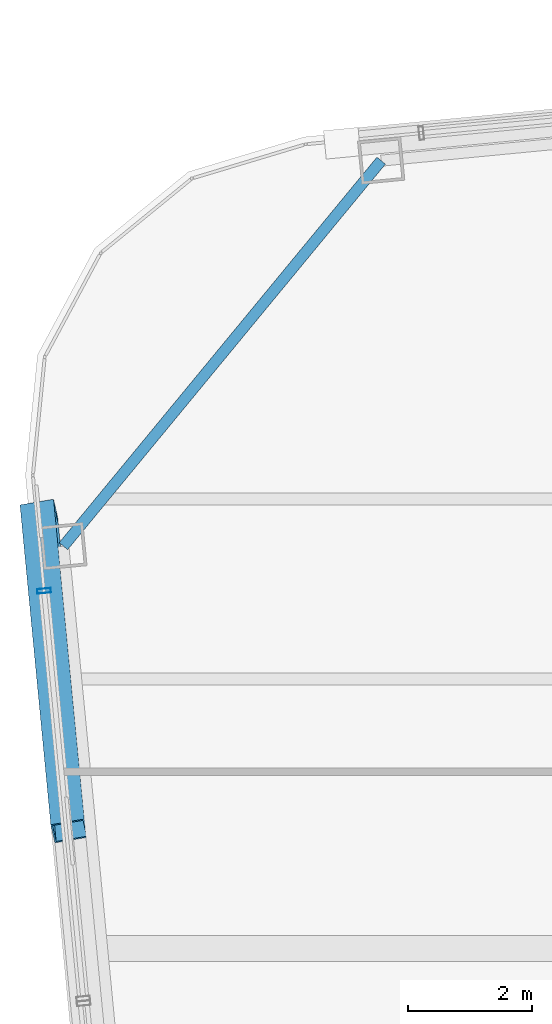
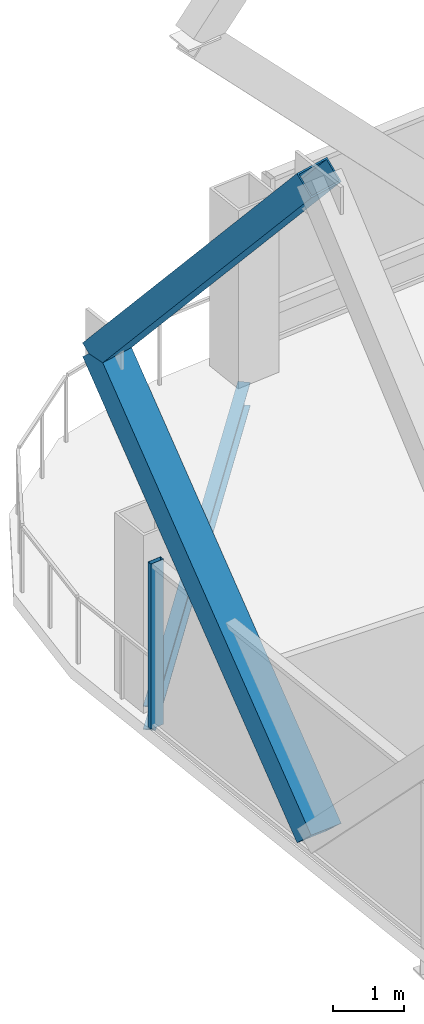
# One storey, part 18 of 34: 3 members, 1 beam, 1 element without a shape of its own.
"""IFC4 building model written with IfcOpenShell, lengths in metres."""

from ifc_helpers import new_model, si_unit, direction, frame, origin, origin_2d, place, context, subcontext, project, spatial, hollow_rectangle, i_section, extrude, material, layer, layer_set, material_profile, profile_set, type_object, element, aggregate, save


model = new_model("IFC4")

# Units and contexts
model_context = context("Model", 3, precision=1e-05, world=origin(), true_north=direction((0.0, 1.0)))
body_context = subcontext(model_context, "Body", "Model", "MODEL_VIEW")
ifc_project = project(units=[si_unit("LENGTHUNIT", "METRE"), si_unit("AREAUNIT", "SQUARE_METRE"), si_unit("VOLUMEUNIT", "CUBIC_METRE"), si_unit("PLANEANGLEUNIT", "RADIAN"), si_unit("MASSUNIT", "GRAM", prefix="KILO")], contexts=[model_context])

# Site, building, storey
site_placement = place(None, origin())
site = spatial("IfcSite", under=ifc_project, at=site_placement, CompositionType="ELEMENT")
building_placement = place(site_placement, origin())
building = spatial("IfcBuilding", under=site, at=building_placement, Name="Qhalaya Broadcast Tower", CompositionType="ELEMENT")
storey_placement = place(building_placement, frame((0.0, 0.0, 168.35009765625)))
storey = spatial("IfcBuildingStorey", under=building, at=storey_placement, Name="L49", CompositionType="ELEMENT", Elevation=168.35009765625)

# Members
ifc_material_1 = material(Name="Structural Steel ASTM A572 Grade 50", Category="steel")
ifc_material_profile_1 = material_profile(ifc_material_1, hollow_rectangle(XDim=0.39990234375, YDim=0.550048828125, WallThickness=0.02490234375, at=origin_2d()), Name="BOX 400x550x25")
ifc_profile_set_1 = profile_set([ifc_material_profile_1], Name="Structural Steel ASTM A572 Grade 50")
member_type_1 = type_object("IfcMemberType", Name="Exoskeleton Diamond Diagonal Mid-High EX3", PredefinedType="BRACE", material=ifc_profile_set_1)
member_1_placement = place(storey_placement, frame((-25.427001953125, 11.84716796875, 0.35986328125), z_axis=(-0.066502760768, 0.690615647814, 0.72015790616), x_axis=(0.164114880845, -0.704354882738, 0.690616033009)))
element("IfcMember", 1, at=member_1_placement, inside=storey, type_object=member_type_1, Name="B4 Exoskeleton Diamond Brace W1-D1", PredefinedType="BRACE", context=body_context, shape_type="SweptSolid", body=[
    extrude(hollow_rectangle(XDim=0.39990234375, YDim=0.550048828125, WallThickness=0.02490234375, at=origin_2d()), origin(), (0.0, 0.0, 1.0), 7.470703125),
])
member_2_placement = place(storey_placement, frame((-25.923828125, 17.006591796875, 5.739990234375), z_axis=(0.063505717979, -0.659492058015, 0.749024198007), x_axis=(-0.166869020586, 0.73295598109, 0.65949242585)))
element("IfcMember", 2, at=member_2_placement, inside=storey, type_object=member_type_1, Name="B4 Exoskeleton Diamond Brace W1-D3", PredefinedType="BRACE", context=body_context, shape_type="SweptSolid", body=[
    extrude(hollow_rectangle(XDim=0.39990234375, YDim=0.550048828125, WallThickness=0.02490234375, at=origin_2d()), origin(), (0.0, 0.0, 1.0), 7.8232421875),
])

# Curtain wall, member
ifc_material_2 = material(Name="Fired Architectural Terracotta", Category="masonry")
ifc_layer = layer(ifc_material_2, 0.219970703125, Name="Fired Architectural Terracotta")
ifc_layer_set = layer_set([ifc_layer], Name="Fired Architectural Terracotta")
curtain_wall_type = type_object("IfcCurtainWallType", Name="Block-Cap Unitised Terracotta Spandrel Wall CW-07", PredefinedType="NOTDEFINED", material=ifc_layer_set)
curtain_wall_placement = place(storey_placement, origin())
curtain_wall = element("IfcCurtainWall", 3, at=curtain_wall_placement, inside=storey, type_object=curtain_wall_type, Name="L49 Unitised Curtain Wall L49-CW-W1", PredefinedType="NOTDEFINED")
ifc_material_3 = material(Name="Anodised Aluminium 6063-T6", Category="aluminium")
ifc_material_profile_2 = material_profile(ifc_material_3, hollow_rectangle(XDim=0.074951171875, YDim=0.219970703125, WallThickness=0.00390625, at=origin_2d()), Name="ALU-MUL 75x220x4")
ifc_profile_set_2 = profile_set([ifc_material_profile_2], Name="Anodised Aluminium 6063-T6")
member_type_2 = type_object("IfcMemberType", Name="Unitised Curtain-Wall Mullion M01", PredefinedType="MULLION", material=ifc_profile_set_2)
member_3_placement = place(storey_placement, frame((-25.840087890625, 15.72119140625, 0.0), z_axis=(0.0, 0.0, 1.0), x_axis=(0.095842362816, -0.995396524753, 0.0)))
member_3 = element("IfcMember", 4, at=member_3_placement, type_object=member_type_2, Name="CW-07 mullion 1", PredefinedType="MULLION", context=body_context, shape_type="SweptSolid", body=[
    extrude(hollow_rectangle(XDim=0.074951171875, YDim=0.219970703125, WallThickness=0.00390625, at=origin_2d()), origin(), (0.0, 0.0, 1.0), 2.829833984375),
])
aggregate(curtain_wall, [member_3])

# Beam
ifc_material_4 = material(Name="Structural Steel ASTM A992 Grade 50", Category="steel")
ifc_material_profile_3 = material_profile(ifc_material_4, i_section(OverallWidth=0.177978515625, OverallDepth=0.406005859375, WebThickness=0.0078125, FlangeThickness=0.0126953125, at=origin_2d()), Name="W16X40")
ifc_profile_set_3 = profile_set([ifc_material_profile_3], Name="Structural Steel ASTM A992 Grade 50")
beam_type = type_object("IfcBeamType", Name="Upper Perimeter Spandrel Beam SP2", PredefinedType="SPANDREL", material=ifc_profile_set_3)
beam_placement = place(storey_placement, frame((-20.400390625, 22.662109375, -0.423095703125), z_axis=(-0.636070241972, -0.771631160126, 0.0), x_axis=(0.771631160126, -0.636070241972, 0.0)))
element("IfcBeam", 5, at=beam_placement, inside=storey, type_object=beam_type, Name="L49 SP2 L49-SPR-12", PredefinedType="SPANDREL", context=body_context, shape_type="SweptSolid", body=[
    extrude(i_section(OverallWidth=0.177978515625, OverallDepth=0.406005859375, WebThickness=0.0078125, FlangeThickness=0.0126953125, at=origin_2d()), origin(), (0.0, 0.0, 1.0), 8.06103515625),
])

save(model, "model.ifc")
